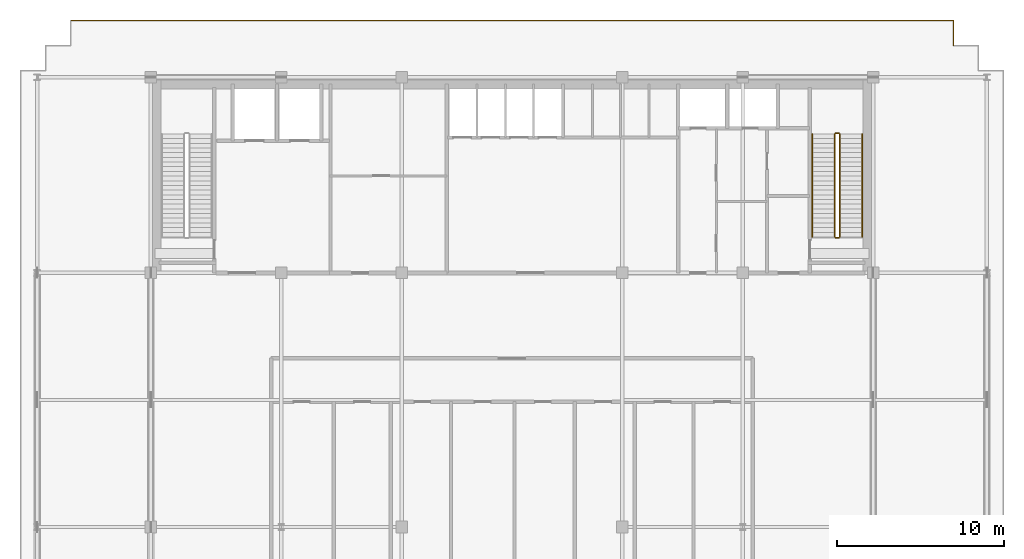
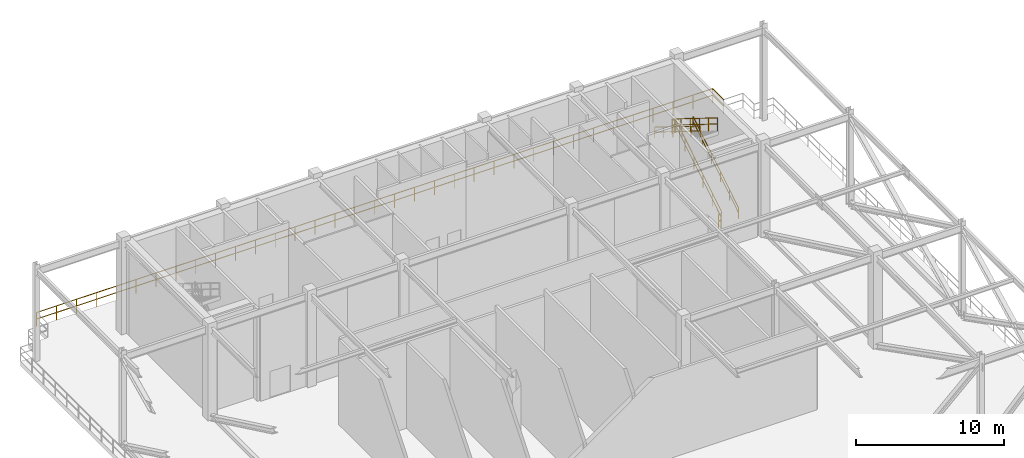
# One storey, part 13 of 14: 8 railings.
"""IFC4 building model written with IfcOpenShell, lengths in metres."""

import ifcopenshell
import ifcopenshell.guid

model = None  # the IFC model being written
_history = None  # IfcOwnerHistory: only IFC2X3 demands one
_inside = {}  # id of a spatial element -> (the spatial element, [elements in it])
_under = {}  # id of a project, library or spatial element -> (it, [spatial elements below it])
_declared = {}  # id of a project -> (the project, [libraries it declares])
_typed = {}  # id of a type object -> (the type object, [elements of that type])
_made_of = {}  # id of a material, layer set ... -> (it, [elements and type objects made of it])


def new_model(schema):
    """Start an empty IFC model of exactly this schema.

    Asked for "IFC4X3", IfcOpenShell would pick the latest addendum, in which some entities
    have other attributes; the version numbers below select the first issue.
    IFC2X3 requires an IfcOwnerHistory on every rooted entity: one is made here for all.
    """
    global model, _history
    if schema == "IFC4X3":
        model = ifcopenshell.file(schema_version=(4, 3, 0, 0))
    else:
        model = ifcopenshell.file(schema=schema)
    _inside.clear()
    _under.clear()
    _declared.clear()
    _typed.clear()
    _made_of.clear()
    _history = None
    if model.schema == "IFC2X3":
        org = make("IfcOrganization", Name="unknown")
        user = make(
            "IfcPersonAndOrganization",
            ThePerson=make("IfcPerson", FamilyName="unknown"),
            TheOrganization=org,
        )
        app = make(
            "IfcApplication",
            ApplicationDeveloper=org,
            Version="unknown",
            ApplicationFullName="unknown",
            ApplicationIdentifier="unknown",
        )
        _history = make(
            "IfcOwnerHistory",
            OwningUser=user,
            OwningApplication=app,
            ChangeAction="ADDED",
            CreationDate=0,
        )
    return model


def make(cls, **values):
    """One entity of the class cls with the attributes given. An attribute that is None is left unset."""
    return model.create_entity(
        cls, **{name: value for name, value in values.items() if value is not None}
    )


def rooted(cls, **values):
    """An entity with a GlobalId (a new one), such as an element, a storey or a relation."""
    return make(cls, GlobalId=ifcopenshell.guid.new(), OwnerHistory=_history, **values)


def si_unit(unit_type, name, prefix=None):
    """IfcSIUnit, for example si_unit("LENGTHUNIT", "METRE", prefix="MILLI")."""
    return make("IfcSIUnit", UnitType=unit_type, Prefix=prefix, Name=name)


def assignment(units):
    """IfcUnitAssignment: the units of a project."""
    return None if units is None else make("IfcUnitAssignment", Units=units)


def point(xyz):
    """IfcCartesianPoint."""
    return None if xyz is None else make("IfcCartesianPoint", Coordinates=xyz)


def direction(xyz):
    """IfcDirection."""
    return None if xyz is None else make("IfcDirection", DirectionRatios=xyz)


def frame(location, z_axis=None, x_axis=None):
    """IfcAxis2Placement3D, a coordinate frame: its origin and axes. An axis left out is left unset."""
    return make(
        "IfcAxis2Placement3D",
        Location=point(location),
        Axis=direction(z_axis),
        RefDirection=direction(x_axis),
    )


def frame_2d(location, x_axis=None):
    """IfcAxis2Placement2D, a coordinate frame in the plane: its origin and x axis."""
    return make(
        "IfcAxis2Placement2D", Location=point(location), RefDirection=direction(x_axis)
    )


def origin():
    """The frame at (0, 0, 0) with its axes left unset."""
    return frame((0.0, 0.0, 0.0))


def origin_2d():
    """The frame at (0, 0) in the plane with its x axis left unset."""
    return frame_2d((0.0, 0.0))


def place(relative_to, where):
    """IfcLocalPlacement: puts the frame where relative to a parent placement (None: the world)."""
    return make(
        "IfcLocalPlacement", PlacementRelTo=relative_to, RelativePlacement=where
    )


def context(
    kind, dimensions, precision=None, world=None, true_north=None, identifier=None
):
    """IfcGeometricRepresentationContext, for example the 3D "Model" context."""
    return make(
        "IfcGeometricRepresentationContext",
        ContextIdentifier=identifier,
        ContextType=kind,
        CoordinateSpaceDimension=dimensions,
        Precision=precision,
        WorldCoordinateSystem=world,
        TrueNorth=true_north,
    )


def subcontext(parent, identifier, kind, view, scale=None):
    """IfcGeometricRepresentationSubContext, for example "Body" below "Model"."""
    return make(
        "IfcGeometricRepresentationSubContext",
        ContextIdentifier=identifier,
        ContextType=kind,
        ParentContext=parent,
        TargetScale=scale,
        TargetView=view,
    )


def project(units=None, contexts=None):
    """IfcProject with its units and contexts."""
    return rooted(
        "IfcProject",
        Name="project",
        RepresentationContexts=contexts,
        UnitsInContext=assignment(units),
    )


def spatial(cls, under=None, at=None, **own):
    """A site, building, storey or space (cls), placed at a placement, below another one or the project."""
    s = rooted(cls, ObjectPlacement=at, **own)
    if under is not None:
        _under.setdefault(under.id(), (under, []))[1].append(s)
    return s


def profile(cls, at=None, kind="AREA", **sizes):
    """A parametric profile (cls). Its sizes go by their IFC names, for example OverallWidth=200.0."""
    return make(cls, ProfileType=kind, Position=at, **sizes)


def rectangle(**sizes):
    """IfcRectangleProfileDef."""
    return profile("IfcRectangleProfileDef", **sizes)


def extrude(swept, where, along, depth):
    """IfcExtrudedAreaSolid: the profile swept, set in the frame where, extruded along a direction by depth."""
    return make(
        "IfcExtrudedAreaSolid",
        SweptArea=swept,
        Position=where,
        ExtrudedDirection=direction(along),
        Depth=depth,
    )


def shape(context_of_items, identifier, shape_type, items):
    """IfcShapeRepresentation: the items that make up one representation, for example the "Body"."""
    return make(
        "IfcShapeRepresentation",
        ContextOfItems=context_of_items,
        RepresentationIdentifier=identifier,
        RepresentationType=shape_type,
        Items=items,
    )


def material(Name=None, Category=None):
    """IfcMaterial."""
    return make("IfcMaterial", Name=Name, Category=Category)


def made_of(thing, what):
    """Note that an element or type object is made of a material, layer set ...; save() writes the relation."""
    if what is not None:
        _made_of.setdefault(what.id(), (what, []))[1].append(thing)
    return thing


def type_object(cls, material=None, **own):
    """A type object (cls), such as IfcWallType, which elements share."""
    return made_of(rooted(cls, **own), material)


def element(
    cls,
    number,
    at=None,
    inside=None,
    cuts=None,
    type_object=None,
    material=None,
    context=None,
    identifier="Body",
    shape_type=None,
    held_by="IfcProductDefinitionShape",
    body=None,
    shapes=None,
    **own,
):
    """One element of the class cls, such as IfcWall. Its Tag is "e" and its number.

    at: its placement. inside: the storey or other place that contains it. cuts: it is an
    opening in that element (IfcRelVoidsElement). A single representation is given by context,
    identifier, shape_type and body (its items); several are given by shapes. held_by: the class
    of the entity that holds the representations. save() writes the other relations.
    """
    e = rooted(cls, Tag="e%d" % number, ObjectPlacement=at, **own)
    if body is not None:
        shapes = [shape(context, identifier, shape_type, body)]
    if shapes is not None:
        e.Representation = make(held_by, Representations=shapes)
    if inside is not None:
        _inside.setdefault(inside.id(), (inside, []))[1].append(e)
    if cuts is not None:
        rooted(
            "IfcRelVoidsElement", RelatingBuildingElement=cuts, RelatedOpeningElement=e
        )
    if type_object is not None:
        _typed.setdefault(type_object.id(), (type_object, []))[1].append(e)
    return made_of(e, material)


def aggregate(whole, parts):
    """IfcRelAggregates: a whole, such as a stair, and the parts it consists of."""
    return rooted("IfcRelAggregates", RelatingObject=whole, RelatedObjects=parts)


def save(model, path):
    """Write the relations noted so far, then the file.

    IfcRelAggregates (storeys below a building ...), IfcRelContainedInSpatialStructure (elements
    in a storey), IfcRelDefinesByType, IfcRelAssociatesMaterial and IfcRelDeclares: one each for
    every whole, place, type object, material and project.
    """
    for whole, parts in _under.values():
        aggregate(whole, parts)
    for where, things in _inside.values():
        rooted(
            "IfcRelContainedInSpatialStructure",
            RelatedElements=things,
            RelatingStructure=where,
        )
    for kind, things in _typed.values():
        rooted("IfcRelDefinesByType", RelatedObjects=things, RelatingType=kind)
    for what, things in _made_of.values():
        rooted("IfcRelAssociatesMaterial", RelatedObjects=things, RelatingMaterial=what)
    for by, libraries in _declared.values():
        rooted("IfcRelDeclares", RelatingContext=by, RelatedDefinitions=libraries)
    model.write(path)


model = new_model("IFC4")

# Units and contexts
model_context = context("Model", 3, precision=1e-05, world=origin(), true_north=direction((0.0, 1.0)))
body_context = subcontext(model_context, "Body", "Model", "MODEL_VIEW")
ifc_project = project(units=[si_unit("LENGTHUNIT", "METRE"), si_unit("AREAUNIT", "SQUARE_METRE"), si_unit("VOLUMEUNIT", "CUBIC_METRE"), si_unit("PLANEANGLEUNIT", "RADIAN"), si_unit("MASSUNIT", "GRAM", prefix="KILO")], contexts=[model_context])

# Site, building, storey
site_placement = place(None, origin())
site = spatial("IfcSite", under=ifc_project, at=site_placement, CompositionType="ELEMENT")
building_placement = place(site_placement, origin())
building = spatial("IfcBuilding", under=site, at=building_placement, Name="Trelvane Seafront Commons", CompositionType="ELEMENT")
storey_placement = place(building_placement, frame((0.0, 0.0, 182.5)))
storey = spatial("IfcBuildingStorey", under=building, at=storey_placement, Name="L48", CompositionType="ELEMENT", Elevation=182.5)

# Railings
ifc_material = material(Name="Stainless steel balustrade", Category="steel")
railing_type_1 = type_object("IfcRailingType", Name="ARCH-RAIL-BAL1150", PredefinedType="BALUSTRADE", material=ifc_material)
railing_1_placement = place(storey_placement, frame((63.60009765625, 47.0, 0.0)))
element("IfcRailing", 1, at=railing_1_placement, inside=storey, type_object=railing_type_1, Name="RL-L48-PERIM-10", PredefinedType="BALUSTRADE", context=body_context, shape_type="SweptSolid", body=[
    extrude(rectangle(XDim=0.048095703125, YDim=0.048095703125, at=origin_2d()), frame((0.0, 0.0, 1.15576171875), z_axis=(0.0, 1.0, 0.0), x_axis=(-1.0, 0.0, 0.0)), (0.0, 0.0, 1.0), 1.5),
    extrude(rectangle(XDim=0.048095703125, YDim=0.048095703125, at=origin_2d()), frame((0.0, 0.0, 0.613525390625), z_axis=(0.0, 1.0, 0.0), x_axis=(-1.0, 0.0, 0.0)), (0.0, 0.0, 1.0), 1.5),
    extrude(rectangle(XDim=0.0419921875, YDim=0.0419921875, at=origin_2d()), origin(), (0.0, 0.0, 1.0), 1.15576171875),
    extrude(rectangle(XDim=0.0419921875, YDim=0.0419921875, at=origin_2d()), frame((0.0, 1.5, 0.0)), (0.0, 0.0, 1.0), 1.15576171875),
])
railing_2_placement = place(storey_placement, frame((63.60009765625, 48.5, 0.0)))
element("IfcRailing", 2, at=railing_2_placement, inside=storey, type_object=railing_type_1, Name="RL-L48-PERIM-11", PredefinedType="BALUSTRADE", context=body_context, shape_type="SweptSolid", body=[
    extrude(rectangle(XDim=0.048095703125, YDim=0.048095703125, at=origin_2d()), frame((0.0, 0.0, 1.15576171875), z_axis=(-1.0, 0.0, 0.0), x_axis=(0.0, -1.0, 0.0)), (0.0, 0.0, 1.0), 52.800048828125),
    extrude(rectangle(XDim=0.048095703125, YDim=0.048095703125, at=origin_2d()), frame((0.0, 0.0, 0.613525390625), z_axis=(-1.0, 0.0, 0.0), x_axis=(0.0, -1.0, 0.0)), (0.0, 0.0, 1.0), 52.800048828125),
    extrude(rectangle(XDim=0.0419921875, YDim=0.0419921875, at=origin_2d()), origin(), (0.0, 0.0, 1.0), 1.15576171875),
    extrude(rectangle(XDim=0.0419921875, YDim=0.0419921875, at=origin_2d()), frame((-1.552978515625, 0.0, 0.0)), (0.0, 0.0, 1.0), 1.15576171875),
    extrude(rectangle(XDim=0.0419921875, YDim=0.0419921875, at=origin_2d()), frame((-3.10595703125, 0.0, 0.0)), (0.0, 0.0, 1.0), 1.15576171875),
    extrude(rectangle(XDim=0.0419921875, YDim=0.0419921875, at=origin_2d()), frame((-4.658935546875, 0.0, 0.0)), (0.0, 0.0, 1.0), 1.15576171875),
    extrude(rectangle(XDim=0.0419921875, YDim=0.0419921875, at=origin_2d()), frame((-6.211669921875, 0.0, 0.0)), (0.0, 0.0, 1.0), 1.15576171875),
    extrude(rectangle(XDim=0.0419921875, YDim=0.0419921875, at=origin_2d()), frame((-7.7646484375, 0.0, 0.0)), (0.0, 0.0, 1.0), 1.15576171875),
    extrude(rectangle(XDim=0.0419921875, YDim=0.0419921875, at=origin_2d()), frame((-9.317626953125, 0.0, 0.0)), (0.0, 0.0, 1.0), 1.15576171875),
    extrude(rectangle(XDim=0.0419921875, YDim=0.0419921875, at=origin_2d()), frame((-10.87060546875, 0.0, 0.0)), (0.0, 0.0, 1.0), 1.15576171875),
    extrude(rectangle(XDim=0.0419921875, YDim=0.0419921875, at=origin_2d()), frame((-12.423583984375, 0.0, 0.0)), (0.0, 0.0, 1.0), 1.15576171875),
    extrude(rectangle(XDim=0.0419921875, YDim=0.0419921875, at=origin_2d()), frame((-13.9765625, 0.0, 0.0)), (0.0, 0.0, 1.0), 1.15576171875),
    extrude(rectangle(XDim=0.0419921875, YDim=0.0419921875, at=origin_2d()), frame((-15.529541015625, 0.0, 0.0)), (0.0, 0.0, 1.0), 1.15576171875),
    extrude(rectangle(XDim=0.0419921875, YDim=0.0419921875, at=origin_2d()), frame((-17.082275390625, 0.0, 0.0)), (0.0, 0.0, 1.0), 1.15576171875),
    extrude(rectangle(XDim=0.0419921875, YDim=0.0419921875, at=origin_2d()), frame((-18.63525390625, 0.0, 0.0)), (0.0, 0.0, 1.0), 1.15576171875),
    extrude(rectangle(XDim=0.0419921875, YDim=0.0419921875, at=origin_2d()), frame((-20.188232421875, 0.0, 0.0)), (0.0, 0.0, 1.0), 1.15576171875),
    extrude(rectangle(XDim=0.0419921875, YDim=0.0419921875, at=origin_2d()), frame((-21.7412109375, 0.0, 0.0)), (0.0, 0.0, 1.0), 1.15576171875),
    extrude(rectangle(XDim=0.0419921875, YDim=0.0419921875, at=origin_2d()), frame((-23.294189453125, 0.0, 0.0)), (0.0, 0.0, 1.0), 1.15576171875),
    extrude(rectangle(XDim=0.0419921875, YDim=0.0419921875, at=origin_2d()), frame((-24.84716796875, 0.0, 0.0)), (0.0, 0.0, 1.0), 1.15576171875),
    extrude(rectangle(XDim=0.0419921875, YDim=0.0419921875, at=origin_2d()), frame((-26.39990234375, 0.0, 0.0)), (0.0, 0.0, 1.0), 1.15576171875),
    extrude(rectangle(XDim=0.0419921875, YDim=0.0419921875, at=origin_2d()), frame((-27.952880859375, 0.0, 0.0)), (0.0, 0.0, 1.0), 1.15576171875),
    extrude(rectangle(XDim=0.0419921875, YDim=0.0419921875, at=origin_2d()), frame((-29.505859375, 0.0, 0.0)), (0.0, 0.0, 1.0), 1.15576171875),
    extrude(rectangle(XDim=0.0419921875, YDim=0.0419921875, at=origin_2d()), frame((-31.058837890625, 0.0, 0.0)), (0.0, 0.0, 1.0), 1.15576171875),
    extrude(rectangle(XDim=0.0419921875, YDim=0.0419921875, at=origin_2d()), frame((-32.61181640625, 0.0, 0.0)), (0.0, 0.0, 1.0), 1.15576171875),
    extrude(rectangle(XDim=0.0419921875, YDim=0.0419921875, at=origin_2d()), frame((-34.164794921875, 0.0, 0.0)), (0.0, 0.0, 1.0), 1.15576171875),
    extrude(rectangle(XDim=0.0419921875, YDim=0.0419921875, at=origin_2d()), frame((-35.7177734375, 0.0, 0.0)), (0.0, 0.0, 1.0), 1.15576171875),
    extrude(rectangle(XDim=0.0419921875, YDim=0.0419921875, at=origin_2d()), frame((-37.2705078125, 0.0, 0.0)), (0.0, 0.0, 1.0), 1.15576171875),
    extrude(rectangle(XDim=0.0419921875, YDim=0.0419921875, at=origin_2d()), frame((-38.823486328125, 0.0, 0.0)), (0.0, 0.0, 1.0), 1.15576171875),
    extrude(rectangle(XDim=0.0419921875, YDim=0.0419921875, at=origin_2d()), frame((-40.37646484375, 0.0, 0.0)), (0.0, 0.0, 1.0), 1.15576171875),
    extrude(rectangle(XDim=0.0419921875, YDim=0.0419921875, at=origin_2d()), frame((-41.929443359375, 0.0, 0.0)), (0.0, 0.0, 1.0), 1.15576171875),
    extrude(rectangle(XDim=0.0419921875, YDim=0.0419921875, at=origin_2d()), frame((-43.482421875, 0.0, 0.0)), (0.0, 0.0, 1.0), 1.15576171875),
    extrude(rectangle(XDim=0.0419921875, YDim=0.0419921875, at=origin_2d()), frame((-45.035400390625, 0.0, 0.0)), (0.0, 0.0, 1.0), 1.15576171875),
    extrude(rectangle(XDim=0.0419921875, YDim=0.0419921875, at=origin_2d()), frame((-46.58837890625, 0.0, 0.0)), (0.0, 0.0, 1.0), 1.15576171875),
    extrude(rectangle(XDim=0.0419921875, YDim=0.0419921875, at=origin_2d()), frame((-48.14111328125, 0.0, 0.0)), (0.0, 0.0, 1.0), 1.15576171875),
    extrude(rectangle(XDim=0.0419921875, YDim=0.0419921875, at=origin_2d()), frame((-49.694091796875, 0.0, 0.0)), (0.0, 0.0, 1.0), 1.15576171875),
    extrude(rectangle(XDim=0.0419921875, YDim=0.0419921875, at=origin_2d()), frame((-51.2470703125, 0.0, 0.0)), (0.0, 0.0, 1.0), 1.15576171875),
    extrude(rectangle(XDim=0.0419921875, YDim=0.0419921875, at=origin_2d()), frame((-52.800048828125, 0.0, 0.0)), (0.0, 0.0, 1.0), 1.15576171875),
])
railing_type_2 = type_object("IfcRailingType", Name="ARCH-SRL-GUARD", PredefinedType="GUARDRAIL", material=ifc_material)
railing_3_placement = place(storey_placement, frame((56.800048828125, 35.550048828125, 0.173828125)))
element("IfcRailing", 3, at=railing_3_placement, inside=storey, type_object=railing_type_2, Name="L48 ST-2 stair guard 1", PredefinedType="GUARDRAIL", context=body_context, shape_type="SweptSolid", body=[
    extrude(rectangle(XDim=0.048095703125, YDim=0.048095703125, at=origin_2d()), frame((0.0, 0.0, 1.076171875), z_axis=(0.0, 0.849468459523, 0.527639399851), x_axis=(-1.0, 0.0, 0.0)), (0.0, 0.0, 1.0), 7.25146484375),
    extrude(rectangle(XDim=0.048095703125, YDim=0.048095703125, at=origin_2d()), frame((0.0, 0.0, 0.572021484375), z_axis=(0.0, 0.849468459523, 0.527639399851), x_axis=(-1.0, 0.0, 0.0)), (0.0, 0.0, 1.0), 7.25146484375),
    extrude(rectangle(XDim=0.0419921875, YDim=0.0419921875, at=origin_2d()), origin(), (0.0, 0.0, 1.0), 1.076171875),
    extrude(rectangle(XDim=0.0419921875, YDim=0.0419921875, at=origin_2d()), frame((0.0, 1.23193359375, 0.76513671875)), (0.0, 0.0, 1.0), 1.076171875),
    extrude(rectangle(XDim=0.0419921875, YDim=0.0419921875, at=origin_2d()), frame((0.0, 2.4638671875, 1.530517578125)), (0.0, 0.0, 1.0), 1.076171875),
    extrude(rectangle(XDim=0.0419921875, YDim=0.0419921875, at=origin_2d()), frame((0.0, 3.696044921875, 2.295654296875)), (0.0, 0.0, 1.0), 1.076171875),
    extrude(rectangle(XDim=0.0419921875, YDim=0.0419921875, at=origin_2d()), frame((0.0, 4.927978515625, 3.06103515625)), (0.0, 0.0, 1.0), 1.076171875),
    extrude(rectangle(XDim=0.0419921875, YDim=0.0419921875, at=origin_2d()), frame((0.0, 6.159912109375, 3.826171875)), (0.0, 0.0, 1.0), 1.076171875),
])
railing_4_placement = place(storey_placement, frame((56.75, 41.760009765625, 4.0)))
element("IfcRailing", 4, at=railing_4_placement, inside=storey, type_object=railing_type_2, Name="L48 ST-2 stair guard 2", PredefinedType="GUARDRAIL", context=body_context, shape_type="SweptSolid", body=[
    extrude(rectangle(XDim=0.048095703125, YDim=0.048095703125, at=origin_2d()), frame((0.0, 0.0, 1.076171875), z_axis=(-1.0, 0.0, 0.0), x_axis=(0.0, -1.0, 0.0)), (0.0, 0.0, 1.0), 0.199951171875),
    extrude(rectangle(XDim=0.048095703125, YDim=0.048095703125, at=origin_2d()), frame((0.0, 0.0, 0.572021484375), z_axis=(-1.0, 0.0, 0.0), x_axis=(0.0, -1.0, 0.0)), (0.0, 0.0, 1.0), 0.199951171875),
    extrude(rectangle(XDim=0.0419921875, YDim=0.0419921875, at=origin_2d()), origin(), (0.0, 0.0, 1.0), 1.076171875),
    extrude(rectangle(XDim=0.0419921875, YDim=0.0419921875, at=origin_2d()), frame((-0.199951171875, 0.0, 0.0)), (0.0, 0.0, 1.0), 1.076171875),
])
railing_5_placement = place(storey_placement, frame((56.5, 41.7099609375, 4.173828125)))
element("IfcRailing", 5, at=railing_5_placement, inside=storey, type_object=railing_type_2, Name="L48 ST-2 stair guard 3", PredefinedType="GUARDRAIL", context=body_context, shape_type="SweptSolid", body=[
    extrude(rectangle(XDim=0.048095703125, YDim=0.048095703125, at=origin_2d()), frame((0.0, 0.0, 1.076171875), z_axis=(0.0, -0.849468459523, 0.527639399851), x_axis=(1.0, 0.0, 0.0)), (0.0, 0.0, 1.0), 7.25146484375),
    extrude(rectangle(XDim=0.048095703125, YDim=0.048095703125, at=origin_2d()), frame((0.0, 0.0, 0.572021484375), z_axis=(0.0, -0.849468459523, 0.527639399851), x_axis=(1.0, 0.0, 0.0)), (0.0, 0.0, 1.0), 7.25146484375),
    extrude(rectangle(XDim=0.0419921875, YDim=0.0419921875, at=origin_2d()), origin(), (0.0, 0.0, 1.0), 1.076171875),
    extrude(rectangle(XDim=0.0419921875, YDim=0.0419921875, at=origin_2d()), frame((0.0, -1.23193359375, 0.76513671875)), (0.0, 0.0, 1.0), 1.076171875),
    extrude(rectangle(XDim=0.0419921875, YDim=0.0419921875, at=origin_2d()), frame((0.0, -2.4638671875, 1.530517578125)), (0.0, 0.0, 1.0), 1.076171875),
    extrude(rectangle(XDim=0.0419921875, YDim=0.0419921875, at=origin_2d()), frame((0.0, -3.696044921875, 2.295654296875)), (0.0, 0.0, 1.0), 1.076171875),
    extrude(rectangle(XDim=0.0419921875, YDim=0.0419921875, at=origin_2d()), frame((0.0, -4.927978515625, 3.06103515625)), (0.0, 0.0, 1.0), 1.076171875),
    extrude(rectangle(XDim=0.0419921875, YDim=0.0419921875, at=origin_2d()), frame((0.0, -6.159912109375, 3.826171875)), (0.0, 0.0, 1.0), 1.076171875),
])
railing_6_placement = place(storey_placement, frame((56.75, 35.5, 0.0)))
element("IfcRailing", 6, at=railing_6_placement, inside=storey, type_object=railing_type_2, Name="L48 ST-2 stair guard 4", PredefinedType="GUARDRAIL", context=body_context, shape_type="SweptSolid", body=[
    extrude(rectangle(XDim=0.048095703125, YDim=0.048095703125, at=origin_2d()), frame((0.0, 0.0, 1.076171875), z_axis=(-1.0, 0.0, 0.0), x_axis=(0.0, -1.0, 0.0)), (0.0, 0.0, 1.0), 0.199951171875),
    extrude(rectangle(XDim=0.048095703125, YDim=0.048095703125, at=origin_2d()), frame((0.0, 0.0, 0.572021484375), z_axis=(-1.0, 0.0, 0.0), x_axis=(0.0, -1.0, 0.0)), (0.0, 0.0, 1.0), 0.199951171875),
    extrude(rectangle(XDim=0.0419921875, YDim=0.0419921875, at=origin_2d()), origin(), (0.0, 0.0, 1.0), 1.076171875),
    extrude(rectangle(XDim=0.0419921875, YDim=0.0419921875, at=origin_2d()), frame((-0.199951171875, 0.0, 0.0)), (0.0, 0.0, 1.0), 1.076171875),
])
railing_type_3 = type_object("IfcRailingType", Name="ARCH-SRL-HAND", PredefinedType="HANDRAIL", material=ifc_material)
railing_7_placement = place(storey_placement, frame((58.14990234375, 35.550048828125, 0.173828125)))
element("IfcRailing", 7, at=railing_7_placement, inside=storey, type_object=railing_type_3, Name="L48 ST-2 stair handrail 1", PredefinedType="HANDRAIL", context=body_context, shape_type="SweptSolid", body=[
    extrude(rectangle(XDim=0.048095703125, YDim=0.048095703125, at=origin_2d()), frame((0.0, 0.0, 0.8759765625), z_axis=(0.0, 0.849468459523, 0.527639399851), x_axis=(-1.0, 0.0, 0.0)), (0.0, 0.0, 1.0), 7.25146484375),
    extrude(rectangle(XDim=0.048095703125, YDim=0.048095703125, at=origin_2d()), frame((0.0, 0.0, 0.468017578125), z_axis=(0.0, 0.849468459523, 0.527639399851), x_axis=(-1.0, 0.0, 0.0)), (0.0, 0.0, 1.0), 7.25146484375),
    extrude(rectangle(XDim=0.0419921875, YDim=0.0419921875, at=origin_2d()), origin(), (0.0, 0.0, 1.0), 0.8759765625),
    extrude(rectangle(XDim=0.0419921875, YDim=0.0419921875, at=origin_2d()), frame((0.0, 1.23193359375, 0.76513671875)), (0.0, 0.0, 1.0), 0.8759765625),
    extrude(rectangle(XDim=0.0419921875, YDim=0.0419921875, at=origin_2d()), frame((0.0, 2.4638671875, 1.530517578125)), (0.0, 0.0, 1.0), 0.8759765625),
    extrude(rectangle(XDim=0.0419921875, YDim=0.0419921875, at=origin_2d()), frame((0.0, 3.696044921875, 2.295654296875)), (0.0, 0.0, 1.0), 0.8759765625),
    extrude(rectangle(XDim=0.0419921875, YDim=0.0419921875, at=origin_2d()), frame((0.0, 4.927978515625, 3.06103515625)), (0.0, 0.0, 1.0), 0.8759765625),
    extrude(rectangle(XDim=0.0419921875, YDim=0.0419921875, at=origin_2d()), frame((0.0, 6.159912109375, 3.826171875)), (0.0, 0.0, 1.0), 0.8759765625),
])
railing_8_placement = place(storey_placement, frame((55.14990234375, 41.7099609375, 4.173828125)))
element("IfcRailing", 8, at=railing_8_placement, inside=storey, type_object=railing_type_3, Name="L48 ST-2 stair handrail 2", PredefinedType="HANDRAIL", context=body_context, shape_type="SweptSolid", body=[
    extrude(rectangle(XDim=0.048095703125, YDim=0.048095703125, at=origin_2d()), frame((0.0, 0.0, 0.8759765625), z_axis=(0.0, -0.849468459523, 0.527639399851), x_axis=(1.0, 0.0, 0.0)), (0.0, 0.0, 1.0), 7.25146484375),
    extrude(rectangle(XDim=0.048095703125, YDim=0.048095703125, at=origin_2d()), frame((0.0, 0.0, 0.468017578125), z_axis=(0.0, -0.849468459523, 0.527639399851), x_axis=(1.0, 0.0, 0.0)), (0.0, 0.0, 1.0), 7.25146484375),
    extrude(rectangle(XDim=0.0419921875, YDim=0.0419921875, at=origin_2d()), origin(), (0.0, 0.0, 1.0), 0.8759765625),
    extrude(rectangle(XDim=0.0419921875, YDim=0.0419921875, at=origin_2d()), frame((0.0, -1.23193359375, 0.76513671875)), (0.0, 0.0, 1.0), 0.8759765625),
    extrude(rectangle(XDim=0.0419921875, YDim=0.0419921875, at=origin_2d()), frame((0.0, -2.4638671875, 1.530517578125)), (0.0, 0.0, 1.0), 0.8759765625),
    extrude(rectangle(XDim=0.0419921875, YDim=0.0419921875, at=origin_2d()), frame((0.0, -3.696044921875, 2.295654296875)), (0.0, 0.0, 1.0), 0.8759765625),
    extrude(rectangle(XDim=0.0419921875, YDim=0.0419921875, at=origin_2d()), frame((0.0, -4.927978515625, 3.06103515625)), (0.0, 0.0, 1.0), 0.8759765625),
    extrude(rectangle(XDim=0.0419921875, YDim=0.0419921875, at=origin_2d()), frame((0.0, -6.159912109375, 3.826171875)), (0.0, 0.0, 1.0), 0.8759765625),
])

save(model, "model.ifc")
